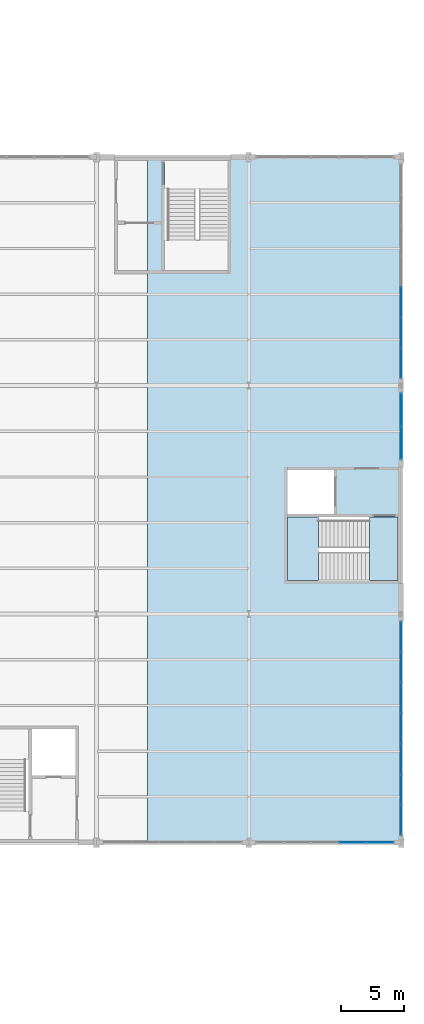
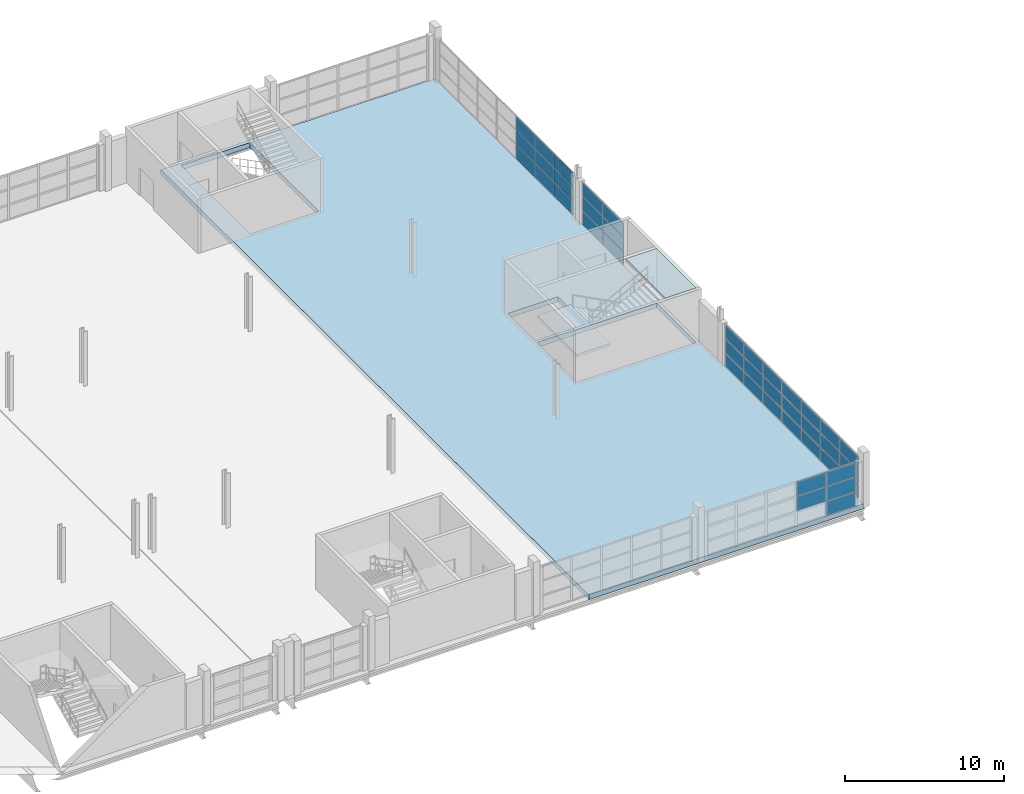
# One storey, part 128 of 147: 41 plates, 3 slabs, 5 elements without a shape of their own.
"""IFC4 building model written with IfcOpenShell, lengths in metres."""

import ifcopenshell
import ifcopenshell.guid

model = None  # the IFC model being written
_history = None  # IfcOwnerHistory: only IFC2X3 demands one
_inside = {}  # id of a spatial element -> (the spatial element, [elements in it])
_under = {}  # id of a project, library or spatial element -> (it, [spatial elements below it])
_declared = {}  # id of a project -> (the project, [libraries it declares])
_typed = {}  # id of a type object -> (the type object, [elements of that type])
_made_of = {}  # id of a material, layer set ... -> (it, [elements and type objects made of it])


def new_model(schema):
    """Start an empty IFC model of exactly this schema.

    Asked for "IFC4X3", IfcOpenShell would pick the latest addendum, in which some entities
    have other attributes; the version numbers below select the first issue.
    IFC2X3 requires an IfcOwnerHistory on every rooted entity: one is made here for all.
    """
    global model, _history
    if schema == "IFC4X3":
        model = ifcopenshell.file(schema_version=(4, 3, 0, 0))
    else:
        model = ifcopenshell.file(schema=schema)
    _inside.clear()
    _under.clear()
    _declared.clear()
    _typed.clear()
    _made_of.clear()
    _history = None
    if model.schema == "IFC2X3":
        org = make("IfcOrganization", Name="unknown")
        user = make(
            "IfcPersonAndOrganization",
            ThePerson=make("IfcPerson", FamilyName="unknown"),
            TheOrganization=org,
        )
        app = make(
            "IfcApplication",
            ApplicationDeveloper=org,
            Version="unknown",
            ApplicationFullName="unknown",
            ApplicationIdentifier="unknown",
        )
        _history = make(
            "IfcOwnerHistory",
            OwningUser=user,
            OwningApplication=app,
            ChangeAction="ADDED",
            CreationDate=0,
        )
    return model


def make(cls, **values):
    """One entity of the class cls with the attributes given. An attribute that is None is left unset."""
    return model.create_entity(
        cls, **{name: value for name, value in values.items() if value is not None}
    )


def rooted(cls, **values):
    """An entity with a GlobalId (a new one), such as an element, a storey or a relation."""
    return make(cls, GlobalId=ifcopenshell.guid.new(), OwnerHistory=_history, **values)


def si_unit(unit_type, name, prefix=None):
    """IfcSIUnit, for example si_unit("LENGTHUNIT", "METRE", prefix="MILLI")."""
    return make("IfcSIUnit", UnitType=unit_type, Prefix=prefix, Name=name)


def assignment(units):
    """IfcUnitAssignment: the units of a project."""
    return None if units is None else make("IfcUnitAssignment", Units=units)


def point(xyz):
    """IfcCartesianPoint."""
    return None if xyz is None else make("IfcCartesianPoint", Coordinates=xyz)


def direction(xyz):
    """IfcDirection."""
    return None if xyz is None else make("IfcDirection", DirectionRatios=xyz)


def frame(location, z_axis=None, x_axis=None):
    """IfcAxis2Placement3D, a coordinate frame: its origin and axes. An axis left out is left unset."""
    return make(
        "IfcAxis2Placement3D",
        Location=point(location),
        Axis=direction(z_axis),
        RefDirection=direction(x_axis),
    )


def frame_2d(location, x_axis=None):
    """IfcAxis2Placement2D, a coordinate frame in the plane: its origin and x axis."""
    return make(
        "IfcAxis2Placement2D", Location=point(location), RefDirection=direction(x_axis)
    )


def origin():
    """The frame at (0, 0, 0) with its axes left unset."""
    return frame((0.0, 0.0, 0.0))


def origin_2d():
    """The frame at (0, 0) in the plane with its x axis left unset."""
    return frame_2d((0.0, 0.0))


def place(relative_to, where):
    """IfcLocalPlacement: puts the frame where relative to a parent placement (None: the world)."""
    return make(
        "IfcLocalPlacement", PlacementRelTo=relative_to, RelativePlacement=where
    )


def context(
    kind, dimensions, precision=None, world=None, true_north=None, identifier=None
):
    """IfcGeometricRepresentationContext, for example the 3D "Model" context."""
    return make(
        "IfcGeometricRepresentationContext",
        ContextIdentifier=identifier,
        ContextType=kind,
        CoordinateSpaceDimension=dimensions,
        Precision=precision,
        WorldCoordinateSystem=world,
        TrueNorth=true_north,
    )


def subcontext(parent, identifier, kind, view, scale=None):
    """IfcGeometricRepresentationSubContext, for example "Body" below "Model"."""
    return make(
        "IfcGeometricRepresentationSubContext",
        ContextIdentifier=identifier,
        ContextType=kind,
        ParentContext=parent,
        TargetScale=scale,
        TargetView=view,
    )


def project(units=None, contexts=None):
    """IfcProject with its units and contexts."""
    return rooted(
        "IfcProject",
        Name="project",
        RepresentationContexts=contexts,
        UnitsInContext=assignment(units),
    )


def spatial(cls, under=None, at=None, **own):
    """A site, building, storey or space (cls), placed at a placement, below another one or the project."""
    s = rooted(cls, ObjectPlacement=at, **own)
    if under is not None:
        _under.setdefault(under.id(), (under, []))[1].append(s)
    return s


def polyline(points):
    """IfcPolyline through the points."""
    return make("IfcPolyline", Points=[point(p) for p in points])


def profile(cls, at=None, kind="AREA", **sizes):
    """A parametric profile (cls). Its sizes go by their IFC names, for example OverallWidth=200.0."""
    return make(cls, ProfileType=kind, Position=at, **sizes)


def rectangle(**sizes):
    """IfcRectangleProfileDef."""
    return profile("IfcRectangleProfileDef", **sizes)


def outline(outer, holes=None, kind="AREA"):
    """IfcArbitraryClosedProfileDef: a profile drawn as a closed curve; with holes, ...WithVoids."""
    if holes is None:
        return make("IfcArbitraryClosedProfileDef", ProfileType=kind, OuterCurve=outer)
    return make(
        "IfcArbitraryProfileDefWithVoids",
        ProfileType=kind,
        OuterCurve=outer,
        InnerCurves=holes,
    )


def extrude(swept, where, along, depth):
    """IfcExtrudedAreaSolid: the profile swept, set in the frame where, extruded along a direction by depth."""
    return make(
        "IfcExtrudedAreaSolid",
        SweptArea=swept,
        Position=where,
        ExtrudedDirection=direction(along),
        Depth=depth,
    )


def shape(context_of_items, identifier, shape_type, items):
    """IfcShapeRepresentation: the items that make up one representation, for example the "Body"."""
    return make(
        "IfcShapeRepresentation",
        ContextOfItems=context_of_items,
        RepresentationIdentifier=identifier,
        RepresentationType=shape_type,
        Items=items,
    )


def material(Name=None, Category=None):
    """IfcMaterial."""
    return make("IfcMaterial", Name=Name, Category=Category)


def layer(
    of_material, thickness, ventilated=None, Name=None, Category=None, Priority=None
):
    """IfcMaterialLayer: one layer of a wall or slab, of a material (None: an air gap)."""
    return make(
        "IfcMaterialLayer",
        Material=of_material,
        LayerThickness=thickness,
        IsVentilated=ventilated,
        Name=Name,
        Category=Category,
        Priority=Priority,
    )


def layer_set(layers, Name=None):
    """IfcMaterialLayerSet."""
    return make("IfcMaterialLayerSet", MaterialLayers=layers, LayerSetName=Name)


def made_of(thing, what):
    """Note that an element or type object is made of a material, layer set ...; save() writes the relation."""
    if what is not None:
        _made_of.setdefault(what.id(), (what, []))[1].append(thing)
    return thing


def type_object(cls, material=None, **own):
    """A type object (cls), such as IfcWallType, which elements share."""
    return made_of(rooted(cls, **own), material)


def element(
    cls,
    number,
    at=None,
    inside=None,
    cuts=None,
    type_object=None,
    material=None,
    context=None,
    identifier="Body",
    shape_type=None,
    held_by="IfcProductDefinitionShape",
    body=None,
    shapes=None,
    **own,
):
    """One element of the class cls, such as IfcWall. Its Tag is "e" and its number.

    at: its placement. inside: the storey or other place that contains it. cuts: it is an
    opening in that element (IfcRelVoidsElement). A single representation is given by context,
    identifier, shape_type and body (its items); several are given by shapes. held_by: the class
    of the entity that holds the representations. save() writes the other relations.
    """
    e = rooted(cls, Tag="e%d" % number, ObjectPlacement=at, **own)
    if body is not None:
        shapes = [shape(context, identifier, shape_type, body)]
    if shapes is not None:
        e.Representation = make(held_by, Representations=shapes)
    if inside is not None:
        _inside.setdefault(inside.id(), (inside, []))[1].append(e)
    if cuts is not None:
        rooted(
            "IfcRelVoidsElement", RelatingBuildingElement=cuts, RelatedOpeningElement=e
        )
    if type_object is not None:
        _typed.setdefault(type_object.id(), (type_object, []))[1].append(e)
    return made_of(e, material)


def aggregate(whole, parts):
    """IfcRelAggregates: a whole, such as a stair, and the parts it consists of."""
    return rooted("IfcRelAggregates", RelatingObject=whole, RelatedObjects=parts)


def save(model, path):
    """Write the relations noted so far, then the file.

    IfcRelAggregates (storeys below a building ...), IfcRelContainedInSpatialStructure (elements
    in a storey), IfcRelDefinesByType, IfcRelAssociatesMaterial and IfcRelDeclares: one each for
    every whole, place, type object, material and project.
    """
    for whole, parts in _under.values():
        aggregate(whole, parts)
    for where, things in _inside.values():
        rooted(
            "IfcRelContainedInSpatialStructure",
            RelatedElements=things,
            RelatingStructure=where,
        )
    for kind, things in _typed.values():
        rooted("IfcRelDefinesByType", RelatedObjects=things, RelatingType=kind)
    for what, things in _made_of.values():
        rooted("IfcRelAssociatesMaterial", RelatedObjects=things, RelatingMaterial=what)
    for by, libraries in _declared.values():
        rooted("IfcRelDeclares", RelatingContext=by, RelatedDefinitions=libraries)
    model.write(path)


model = new_model("IFC4")

# Units and contexts
model_context = context("Model", 3, precision=1e-05, world=origin(), true_north=direction((0.0, 1.0)))
body_context = subcontext(model_context, "Body", "Model", "MODEL_VIEW")
ifc_project = project(units=[si_unit("LENGTHUNIT", "METRE"), si_unit("AREAUNIT", "SQUARE_METRE"), si_unit("VOLUMEUNIT", "CUBIC_METRE"), si_unit("PLANEANGLEUNIT", "RADIAN"), si_unit("MASSUNIT", "GRAM", prefix="KILO")], contexts=[model_context])

# Site, building, storey
site_placement = place(None, origin())
site = spatial("IfcSite", under=ifc_project, at=site_placement, CompositionType="ELEMENT")
building_placement = place(site_placement, origin())
building = spatial("IfcBuilding", under=site, at=building_placement, Name="Zilviju Railside Exhibition Hall", CompositionType="ELEMENT")
storey_placement = place(building_placement, frame((0.0, 0.0, 8.39990234375)))
storey = spatial("IfcBuildingStorey", under=building, at=storey_placement, Name="L03", CompositionType="ELEMENT", Elevation=8.39990234375)

# Curtain wall, plates
ifc_material_1 = material(Name="Thermally broken aluminium-steel triple-glazed curtain wall", Category="steel")
ifc_layer_1 = layer(ifc_material_1, 0.179931640625)
ifc_layer_set_1 = layer_set([ifc_layer_1], Name="Thermally broken aluminium-steel triple-glazed curtain wall")
curtain_wall_type_1 = type_object("IfcCurtainWallType", Name="CW-BAY-05", PredefinedType="USERDEFINED", material=ifc_layer_set_1)
curtain_wall_1_placement = place(storey_placement, origin())
curtain_wall_1 = element("IfcCurtainWall", 1, at=curtain_wall_1_placement, inside=storey, type_object=curtain_wall_type_1, Name="North Hall Garden Court Curtain Wall L03 (204..216)", ObjectType="GLAZED CURTAIN WALL", PredefinedType="USERDEFINED")
ifc_material_2 = material(Name="Triple-glazed low-E argon insulating glass unit", Category="glass")
ifc_layer_2 = layer(ifc_material_2, 0.0439453125)
ifc_layer_set_2 = layer_set([ifc_layer_2], Name="Triple-glazed low-E argon insulating glass unit")
plate_type_1 = type_object("IfcPlateType", Name="CWP-IGU-44", PredefinedType="CURTAIN_PANEL", material=ifc_layer_set_2)
plate_1_placement = place(storey_placement, frame((214.342529296875, 84.0, 0.070068359375), z_axis=(0.0, 0.0, 1.0), x_axis=(-1.0, 0.0, 0.0)))
plate_1 = element("IfcPlate", 2, at=plate_1_placement, type_object=plate_type_1, Name="CW-05 panel 1.1", PredefinedType="CURTAIN_PANEL", context=body_context, shape_type="SweptSolid", body=[
    extrude(rectangle(XDim=2.074951171875, YDim=0.0439453125, at=origin_2d()), origin(), (0.0, 0.0, 1.0), 1.044921875),
])
plate_2_placement = place(storey_placement, frame((214.342529296875, 84.0, 1.18505859375), z_axis=(0.0, 0.0, 1.0), x_axis=(-1.0, 0.0, 0.0)))
plate_2 = element("IfcPlate", 3, at=plate_2_placement, type_object=plate_type_1, Name="CW-05 panel 1.2", PredefinedType="CURTAIN_PANEL", context=body_context, shape_type="SweptSolid", body=[
    extrude(rectangle(XDim=2.074951171875, YDim=0.0439453125, at=origin_2d()), origin(), (0.0, 0.0, 1.0), 1.080078125),
])
plate_3_placement = place(storey_placement, frame((214.342529296875, 84.0, 2.335205078125), z_axis=(0.0, 0.0, 1.0), x_axis=(-1.0, 0.0, 0.0)))
plate_3 = element("IfcPlate", 4, at=plate_3_placement, type_object=plate_type_1, Name="CW-05 panel 1.3", PredefinedType="CURTAIN_PANEL", context=body_context, shape_type="SweptSolid", body=[
    extrude(rectangle(XDim=2.074951171875, YDim=0.0439453125, at=origin_2d()), origin(), (0.0, 0.0, 1.0), 1.044921875),
])
plate_4_placement = place(storey_placement, frame((212.179931640625, 84.0, 1.18505859375), z_axis=(0.0, 0.0, 1.0), x_axis=(-1.0, 0.0, 0.0)))
plate_4 = element("IfcPlate", 5, at=plate_4_placement, type_object=plate_type_1, Name="CW-05 panel 2.2", PredefinedType="CURTAIN_PANEL", context=body_context, shape_type="SweptSolid", body=[
    extrude(rectangle(XDim=2.110107421875, YDim=0.0439453125, at=origin_2d()), origin(), (0.0, 0.0, 1.0), 1.080078125),
])
plate_5_placement = place(storey_placement, frame((212.179931640625, 84.0, 2.335205078125), z_axis=(0.0, 0.0, 1.0), x_axis=(-1.0, 0.0, 0.0)))
plate_5 = element("IfcPlate", 6, at=plate_5_placement, type_object=plate_type_1, Name="CW-05 panel 2.3", PredefinedType="CURTAIN_PANEL", context=body_context, shape_type="SweptSolid", body=[
    extrude(rectangle(XDim=2.110107421875, YDim=0.0439453125, at=origin_2d()), origin(), (0.0, 0.0, 1.0), 1.044921875),
])
aggregate(curtain_wall_1, [plate_1, plate_2, plate_3, plate_4, plate_5])

ifc_layer_3 = layer(ifc_material_1, 0.179931640625)
ifc_layer_set_3 = layer_set([ifc_layer_3], Name="Thermally broken aluminium-steel triple-glazed curtain wall")
curtain_wall_type_2 = type_object("IfcCurtainWallType", Name="CW-BAY-10", PredefinedType="USERDEFINED", material=ifc_layer_set_3)
curtain_wall_2_placement = place(storey_placement, origin())
curtain_wall_2 = element("IfcCurtainWall", 7, at=curtain_wall_2_placement, inside=storey, type_object=curtain_wall_type_2, Name="North Hall East Glazed Gable L03 (120..138)", ObjectType="GLAZED CURTAIN WALL", PredefinedType="USERDEFINED")
plate_6_placement = place(storey_placement, frame((216.0, 126.585693359375, 0.05517578125), z_axis=(0.0, 0.0, 1.0), x_axis=(0.0, -1.0, 0.0)))
plate_6 = element("IfcPlate", 8, at=plate_6_placement, type_object=plate_type_1, Name="CW-10 panel 5.1", PredefinedType="CURTAIN_PANEL", context=body_context, shape_type="SweptSolid", body=[
    extrude(rectangle(XDim=2.359375, YDim=0.0439453125, at=origin_2d()), origin(), (0.0, 0.0, 1.0), 1.034423828125),
])
plate_7_placement = place(storey_placement, frame((216.0, 126.585693359375, 1.14453125), z_axis=(0.0, 0.0, 1.0), x_axis=(0.0, -1.0, 0.0)))
plate_7 = element("IfcPlate", 9, at=plate_7_placement, type_object=plate_type_1, Name="CW-10 panel 5.2", PredefinedType="CURTAIN_PANEL", context=body_context, shape_type="SweptSolid", body=[
    extrude(rectangle(XDim=2.359375, YDim=0.0439453125, at=origin_2d()), origin(), (0.0, 0.0, 1.0), 1.06103515625),
])
plate_8_placement = place(storey_placement, frame((216.0, 126.585693359375, 2.2607421875), z_axis=(0.0, 0.0, 1.0), x_axis=(0.0, -1.0, 0.0)))
plate_8 = element("IfcPlate", 10, at=plate_8_placement, type_object=plate_type_1, Name="CW-10 panel 5.3", PredefinedType="CURTAIN_PANEL", context=body_context, shape_type="SweptSolid", body=[
    extrude(rectangle(XDim=2.359375, YDim=0.0439453125, at=origin_2d()), origin(), (0.0, 0.0, 1.0), 1.034423828125),
])
plate_9_placement = place(storey_placement, frame((216.0, 124.17138671875, 0.05517578125), z_axis=(0.0, 0.0, 1.0), x_axis=(0.0, -1.0, 0.0)))
plate_9 = element("IfcPlate", 11, at=plate_9_placement, type_object=plate_type_1, Name="CW-10 panel 6.1", PredefinedType="CURTAIN_PANEL", context=body_context, shape_type="SweptSolid", body=[
    extrude(rectangle(XDim=2.359375, YDim=0.0439453125, at=origin_2d()), origin(), (0.0, 0.0, 1.0), 1.034423828125),
])
plate_10_placement = place(storey_placement, frame((216.0, 124.17138671875, 1.14453125), z_axis=(0.0, 0.0, 1.0), x_axis=(0.0, -1.0, 0.0)))
plate_10 = element("IfcPlate", 12, at=plate_10_placement, type_object=plate_type_1, Name="CW-10 panel 6.2", PredefinedType="CURTAIN_PANEL", context=body_context, shape_type="SweptSolid", body=[
    extrude(rectangle(XDim=2.359375, YDim=0.0439453125, at=origin_2d()), origin(), (0.0, 0.0, 1.0), 1.06103515625),
])
plate_11_placement = place(storey_placement, frame((216.0, 124.17138671875, 2.2607421875), z_axis=(0.0, 0.0, 1.0), x_axis=(0.0, -1.0, 0.0)))
plate_11 = element("IfcPlate", 13, at=plate_11_placement, type_object=plate_type_1, Name="CW-10 panel 6.3", PredefinedType="CURTAIN_PANEL", context=body_context, shape_type="SweptSolid", body=[
    extrude(rectangle(XDim=2.359375, YDim=0.0439453125, at=origin_2d()), origin(), (0.0, 0.0, 1.0), 1.034423828125),
])
plate_12_placement = place(storey_placement, frame((216.0, 121.77099609375, 0.05517578125), z_axis=(0.0, 0.0, 1.0), x_axis=(0.0, -1.0, 0.0)))
plate_12 = element("IfcPlate", 14, at=plate_12_placement, type_object=plate_type_1, Name="CW-10 panel 7.1", PredefinedType="CURTAIN_PANEL", context=body_context, shape_type="SweptSolid", body=[
    extrude(rectangle(XDim=2.331787109375, YDim=0.0439453125, at=origin_2d()), origin(), (0.0, 0.0, 1.0), 1.034423828125),
])
plate_13_placement = place(storey_placement, frame((216.0, 121.77099609375, 1.14453125), z_axis=(0.0, 0.0, 1.0), x_axis=(0.0, -1.0, 0.0)))
plate_13 = element("IfcPlate", 15, at=plate_13_placement, type_object=plate_type_1, Name="CW-10 panel 7.2", PredefinedType="CURTAIN_PANEL", context=body_context, shape_type="SweptSolid", body=[
    extrude(rectangle(XDim=2.331787109375, YDim=0.0439453125, at=origin_2d()), origin(), (0.0, 0.0, 1.0), 1.06103515625),
])
plate_14_placement = place(storey_placement, frame((216.0, 121.77099609375, 2.2607421875), z_axis=(0.0, 0.0, 1.0), x_axis=(0.0, -1.0, 0.0)))
plate_14 = element("IfcPlate", 16, at=plate_14_placement, type_object=plate_type_1, Name="CW-10 panel 7.3", PredefinedType="CURTAIN_PANEL", context=body_context, shape_type="SweptSolid", body=[
    extrude(rectangle(XDim=2.331787109375, YDim=0.0439453125, at=origin_2d()), origin(), (0.0, 0.0, 1.0), 1.034423828125),
])
aggregate(curtain_wall_2, [plate_6, plate_7, plate_8, plate_9, plate_10, plate_11, plate_12, plate_13, plate_14])

ifc_layer_4 = layer(ifc_material_1, 0.179931640625)
ifc_layer_set_4 = layer_set([ifc_layer_4], Name="Thermally broken aluminium-steel triple-glazed curtain wall")
curtain_wall_type_3 = type_object("IfcCurtainWallType", Name="CW-BAY-08", PredefinedType="USERDEFINED", material=ifc_layer_set_4)
curtain_wall_3_placement = place(storey_placement, origin())
curtain_wall_3 = element("IfcCurtainWall", 17, at=curtain_wall_3_placement, inside=storey, type_object=curtain_wall_type_3, Name="North Hall East Glazed Gable L03 (84..102)", ObjectType="GLAZED CURTAIN WALL", PredefinedType="USERDEFINED")
ifc_material_3 = material(Name="Insulated cobalt-blue enamelled spandrel glass panel", Category="glass")
ifc_layer_5 = layer(ifc_material_3, 0.052001953125)
ifc_layer_set_5 = layer_set([ifc_layer_5], Name="Insulated cobalt-blue enamelled spandrel glass panel")
plate_type_2 = type_object("IfcPlateType", Name="CWP-SPD-52", PredefinedType="CURTAIN_PANEL", material=ifc_layer_set_5)
plate_15_placement = place(storey_placement, frame((216.0, 100.222900390625, 0.080078125), z_axis=(0.0, 0.0, 1.0), x_axis=(0.0, -1.0, 0.0)))
plate_15 = element("IfcPlate", 18, at=plate_15_placement, type_object=plate_type_2, Name="CW-08 panel 1.1", PredefinedType="CURTAIN_PANEL", context=body_context, shape_type="SweptSolid", body=[
    extrude(rectangle(XDim=2.294189453125, YDim=0.052001953125, at=origin_2d()), origin(), (0.0, 0.0, 1.0), 0.9970703125),
])
plate_16_placement = place(storey_placement, frame((216.0, 100.222900390625, 1.1572265625), z_axis=(0.0, 0.0, 1.0), x_axis=(0.0, -1.0, 0.0)))
plate_16 = element("IfcPlate", 19, at=plate_16_placement, type_object=plate_type_2, Name="CW-08 panel 1.2", PredefinedType="CURTAIN_PANEL", context=body_context, shape_type="SweptSolid", body=[
    extrude(rectangle(XDim=2.294189453125, YDim=0.052001953125, at=origin_2d()), origin(), (0.0, 0.0, 1.0), 1.035888671875),
])
plate_17_placement = place(storey_placement, frame((216.0, 100.222900390625, 2.27294921875), z_axis=(0.0, 0.0, 1.0), x_axis=(0.0, -1.0, 0.0)))
plate_17 = element("IfcPlate", 20, at=plate_17_placement, type_object=plate_type_2, Name="CW-08 panel 1.3", PredefinedType="CURTAIN_PANEL", context=body_context, shape_type="SweptSolid", body=[
    extrude(rectangle(XDim=2.294189453125, YDim=0.052001953125, at=origin_2d()), origin(), (0.0, 0.0, 1.0), 0.9970703125),
])
plate_18_placement = place(storey_placement, frame((216.0, 97.82861328125, 0.080078125), z_axis=(0.0, 0.0, 1.0), x_axis=(0.0, -1.0, 0.0)))
plate_18 = element("IfcPlate", 21, at=plate_18_placement, type_object=plate_type_2, Name="CW-08 panel 2.1", PredefinedType="CURTAIN_PANEL", context=body_context, shape_type="SweptSolid", body=[
    extrude(rectangle(XDim=2.334228515625, YDim=0.052001953125, at=origin_2d()), origin(), (0.0, 0.0, 1.0), 0.9970703125),
])
plate_19_placement = place(storey_placement, frame((216.0, 97.82861328125, 1.1572265625), z_axis=(0.0, 0.0, 1.0), x_axis=(0.0, -1.0, 0.0)))
plate_19 = element("IfcPlate", 22, at=plate_19_placement, type_object=plate_type_2, Name="CW-08 panel 2.2", PredefinedType="CURTAIN_PANEL", context=body_context, shape_type="SweptSolid", body=[
    extrude(rectangle(XDim=2.334228515625, YDim=0.052001953125, at=origin_2d()), origin(), (0.0, 0.0, 1.0), 1.035888671875),
])
plate_20_placement = place(storey_placement, frame((216.0, 97.82861328125, 2.27294921875), z_axis=(0.0, 0.0, 1.0), x_axis=(0.0, -1.0, 0.0)))
plate_20 = element("IfcPlate", 23, at=plate_20_placement, type_object=plate_type_2, Name="CW-08 panel 2.3", PredefinedType="CURTAIN_PANEL", context=body_context, shape_type="SweptSolid", body=[
    extrude(rectangle(XDim=2.334228515625, YDim=0.052001953125, at=origin_2d()), origin(), (0.0, 0.0, 1.0), 0.9970703125),
])
plate_21_placement = place(storey_placement, frame((216.0, 95.414306640625, 0.080078125), z_axis=(0.0, 0.0, 1.0), x_axis=(0.0, -1.0, 0.0)))
plate_21 = element("IfcPlate", 24, at=plate_21_placement, type_object=plate_type_2, Name="CW-08 panel 3.1", PredefinedType="CURTAIN_PANEL", context=body_context, shape_type="SweptSolid", body=[
    extrude(rectangle(XDim=2.334228515625, YDim=0.052001953125, at=origin_2d()), origin(), (0.0, 0.0, 1.0), 0.9970703125),
])
plate_22_placement = place(storey_placement, frame((216.0, 95.414306640625, 1.1572265625), z_axis=(0.0, 0.0, 1.0), x_axis=(0.0, -1.0, 0.0)))
plate_22 = element("IfcPlate", 25, at=plate_22_placement, type_object=plate_type_2, Name="CW-08 panel 3.2", PredefinedType="CURTAIN_PANEL", context=body_context, shape_type="SweptSolid", body=[
    extrude(rectangle(XDim=2.334228515625, YDim=0.052001953125, at=origin_2d()), origin(), (0.0, 0.0, 1.0), 1.035888671875),
])
plate_23_placement = place(storey_placement, frame((216.0, 95.414306640625, 2.27294921875), z_axis=(0.0, 0.0, 1.0), x_axis=(0.0, -1.0, 0.0)))
plate_23 = element("IfcPlate", 26, at=plate_23_placement, type_object=plate_type_2, Name="CW-08 panel 3.3", PredefinedType="CURTAIN_PANEL", context=body_context, shape_type="SweptSolid", body=[
    extrude(rectangle(XDim=2.334228515625, YDim=0.052001953125, at=origin_2d()), origin(), (0.0, 0.0, 1.0), 0.9970703125),
])
plate_24_placement = place(storey_placement, frame((216.0, 93.0, 0.080078125), z_axis=(0.0, 0.0, 1.0), x_axis=(0.0, -1.0, 0.0)))
plate_24 = element("IfcPlate", 27, at=plate_24_placement, type_object=plate_type_2, Name="CW-08 panel 4.1", PredefinedType="CURTAIN_PANEL", context=body_context, shape_type="SweptSolid", body=[
    extrude(rectangle(XDim=2.334228515625, YDim=0.052001953125, at=origin_2d()), origin(), (0.0, 0.0, 1.0), 0.9970703125),
])
plate_25_placement = place(storey_placement, frame((216.0, 93.0, 1.1572265625), z_axis=(0.0, 0.0, 1.0), x_axis=(0.0, -1.0, 0.0)))
plate_25 = element("IfcPlate", 28, at=plate_25_placement, type_object=plate_type_2, Name="CW-08 panel 4.2", PredefinedType="CURTAIN_PANEL", context=body_context, shape_type="SweptSolid", body=[
    extrude(rectangle(XDim=2.334228515625, YDim=0.052001953125, at=origin_2d()), origin(), (0.0, 0.0, 1.0), 1.035888671875),
])
plate_26_placement = place(storey_placement, frame((216.0, 93.0, 2.27294921875), z_axis=(0.0, 0.0, 1.0), x_axis=(0.0, -1.0, 0.0)))
plate_26 = element("IfcPlate", 29, at=plate_26_placement, type_object=plate_type_2, Name="CW-08 panel 4.3", PredefinedType="CURTAIN_PANEL", context=body_context, shape_type="SweptSolid", body=[
    extrude(rectangle(XDim=2.334228515625, YDim=0.052001953125, at=origin_2d()), origin(), (0.0, 0.0, 1.0), 0.9970703125),
])
plate_27_placement = place(storey_placement, frame((216.0, 90.585693359375, 0.080078125), z_axis=(0.0, 0.0, 1.0), x_axis=(0.0, -1.0, 0.0)))
plate_27 = element("IfcPlate", 30, at=plate_27_placement, type_object=plate_type_2, Name="CW-08 panel 5.1", PredefinedType="CURTAIN_PANEL", context=body_context, shape_type="SweptSolid", body=[
    extrude(rectangle(XDim=2.334228515625, YDim=0.052001953125, at=origin_2d()), origin(), (0.0, 0.0, 1.0), 0.9970703125),
])
plate_28_placement = place(storey_placement, frame((216.0, 90.585693359375, 1.1572265625), z_axis=(0.0, 0.0, 1.0), x_axis=(0.0, -1.0, 0.0)))
plate_28 = element("IfcPlate", 31, at=plate_28_placement, type_object=plate_type_2, Name="CW-08 panel 5.2", PredefinedType="CURTAIN_PANEL", context=body_context, shape_type="SweptSolid", body=[
    extrude(rectangle(XDim=2.334228515625, YDim=0.052001953125, at=origin_2d()), origin(), (0.0, 0.0, 1.0), 1.035888671875),
])
plate_29_placement = place(storey_placement, frame((216.0, 90.585693359375, 2.27294921875), z_axis=(0.0, 0.0, 1.0), x_axis=(0.0, -1.0, 0.0)))
plate_29 = element("IfcPlate", 32, at=plate_29_placement, type_object=plate_type_2, Name="CW-08 panel 5.3", PredefinedType="CURTAIN_PANEL", context=body_context, shape_type="SweptSolid", body=[
    extrude(rectangle(XDim=2.334228515625, YDim=0.052001953125, at=origin_2d()), origin(), (0.0, 0.0, 1.0), 0.9970703125),
])
plate_30_placement = place(storey_placement, frame((216.0, 88.17138671875, 0.080078125), z_axis=(0.0, 0.0, 1.0), x_axis=(0.0, -1.0, 0.0)))
plate_30 = element("IfcPlate", 33, at=plate_30_placement, type_object=plate_type_2, Name="CW-08 panel 6.1", PredefinedType="CURTAIN_PANEL", context=body_context, shape_type="SweptSolid", body=[
    extrude(rectangle(XDim=2.334228515625, YDim=0.052001953125, at=origin_2d()), origin(), (0.0, 0.0, 1.0), 0.9970703125),
])
plate_31_placement = place(storey_placement, frame((216.0, 88.17138671875, 1.1572265625), z_axis=(0.0, 0.0, 1.0), x_axis=(0.0, -1.0, 0.0)))
plate_31 = element("IfcPlate", 34, at=plate_31_placement, type_object=plate_type_2, Name="CW-08 panel 6.2", PredefinedType="CURTAIN_PANEL", context=body_context, shape_type="SweptSolid", body=[
    extrude(rectangle(XDim=2.334228515625, YDim=0.052001953125, at=origin_2d()), origin(), (0.0, 0.0, 1.0), 1.035888671875),
])
plate_32_placement = place(storey_placement, frame((216.0, 88.17138671875, 2.27294921875), z_axis=(0.0, 0.0, 1.0), x_axis=(0.0, -1.0, 0.0)))
plate_32 = element("IfcPlate", 35, at=plate_32_placement, type_object=plate_type_2, Name="CW-08 panel 6.3", PredefinedType="CURTAIN_PANEL", context=body_context, shape_type="SweptSolid", body=[
    extrude(rectangle(XDim=2.334228515625, YDim=0.052001953125, at=origin_2d()), origin(), (0.0, 0.0, 1.0), 0.9970703125),
])
plate_33_placement = place(storey_placement, frame((216.0, 85.777099609375, 0.080078125), z_axis=(0.0, 0.0, 1.0), x_axis=(0.0, -1.0, 0.0)))
plate_33 = element("IfcPlate", 36, at=plate_33_placement, type_object=plate_type_2, Name="CW-08 panel 7.1", PredefinedType="CURTAIN_PANEL", context=body_context, shape_type="SweptSolid", body=[
    extrude(rectangle(XDim=2.294189453125, YDim=0.052001953125, at=origin_2d()), origin(), (0.0, 0.0, 1.0), 0.9970703125),
])
plate_34_placement = place(storey_placement, frame((216.0, 85.777099609375, 1.1572265625), z_axis=(0.0, 0.0, 1.0), x_axis=(0.0, -1.0, 0.0)))
plate_34 = element("IfcPlate", 37, at=plate_34_placement, type_object=plate_type_2, Name="CW-08 panel 7.2", PredefinedType="CURTAIN_PANEL", context=body_context, shape_type="SweptSolid", body=[
    extrude(rectangle(XDim=2.294189453125, YDim=0.052001953125, at=origin_2d()), origin(), (0.0, 0.0, 1.0), 1.035888671875),
])
plate_35_placement = place(storey_placement, frame((216.0, 85.777099609375, 2.27294921875), z_axis=(0.0, 0.0, 1.0), x_axis=(0.0, -1.0, 0.0)))
plate_35 = element("IfcPlate", 38, at=plate_35_placement, type_object=plate_type_2, Name="CW-08 panel 7.3", PredefinedType="CURTAIN_PANEL", context=body_context, shape_type="SweptSolid", body=[
    extrude(rectangle(XDim=2.294189453125, YDim=0.052001953125, at=origin_2d()), origin(), (0.0, 0.0, 1.0), 0.9970703125),
])
aggregate(curtain_wall_3, [plate_15, plate_16, plate_17, plate_18, plate_19, plate_20, plate_21, plate_22, plate_23, plate_24, plate_25, plate_26, plate_27, plate_28, plate_29, plate_30, plate_31, plate_32, plate_33, plate_34, plate_35])

ifc_layer_6 = layer(ifc_material_1, 0.179931640625)
ifc_layer_set_6 = layer_set([ifc_layer_6], Name="Thermally broken aluminium-steel triple-glazed curtain wall")
curtain_wall_type_4 = type_object("IfcCurtainWallType", Name="CW-BAY-09", PredefinedType="USERDEFINED", material=ifc_layer_set_6)
curtain_wall_4_placement = place(storey_placement, origin())
curtain_wall_4 = element("IfcCurtainWall", 39, at=curtain_wall_4_placement, inside=storey, type_object=curtain_wall_type_4, Name="North Hall East Glazed Gable L03 (114..120)", ObjectType="GLAZED CURTAIN WALL", PredefinedType="USERDEFINED")
ifc_material_4 = material(Name="Insulated emerald ceramic-frit spandrel panel", Category="glass")
ifc_layer_7 = layer(ifc_material_4, 0.06396484375)
ifc_layer_set_7 = layer_set([ifc_layer_7], Name="Insulated emerald ceramic-frit spandrel panel")
plate_type_3 = type_object("IfcPlateType", Name="CWP-SPD-64", PredefinedType="CURTAIN_PANEL", material=ifc_layer_set_7)
plate_36_placement = place(storey_placement, frame((216.0, 118.106201171875, 0.0751953125), z_axis=(0.0, 0.0, 1.0), x_axis=(0.0, -1.0, 0.0)))
plate_36 = element("IfcPlate", 40, at=plate_36_placement, type_object=plate_type_3, Name="CW-09 panel 1.1", PredefinedType="CURTAIN_PANEL", context=body_context, shape_type="SweptSolid", body=[
    extrude(rectangle(XDim=2.53759765625, YDim=0.06396484375, at=origin_2d()), origin(), (0.0, 0.0, 1.0), 1.00439453125),
])
plate_37_placement = place(storey_placement, frame((216.0, 118.106201171875, 1.154541015625), z_axis=(0.0, 0.0, 1.0), x_axis=(0.0, -1.0, 0.0)))
plate_37 = element("IfcPlate", 41, at=plate_37_placement, type_object=plate_type_3, Name="CW-09 panel 1.2", PredefinedType="CURTAIN_PANEL", context=body_context, shape_type="SweptSolid", body=[
    extrude(rectangle(XDim=2.53759765625, YDim=0.06396484375, at=origin_2d()), origin(), (0.0, 0.0, 1.0), 1.041015625),
])
plate_38_placement = place(storey_placement, frame((216.0, 118.106201171875, 2.270751953125), z_axis=(0.0, 0.0, 1.0), x_axis=(0.0, -1.0, 0.0)))
plate_38 = element("IfcPlate", 42, at=plate_38_placement, type_object=plate_type_3, Name="CW-09 panel 1.3", PredefinedType="CURTAIN_PANEL", context=body_context, shape_type="SweptSolid", body=[
    extrude(rectangle(XDim=2.53759765625, YDim=0.06396484375, at=origin_2d()), origin(), (0.0, 0.0, 1.0), 1.00439453125),
])
plate_39_placement = place(storey_placement, frame((216.0, 115.49365234375, 0.0751953125), z_axis=(0.0, 0.0, 1.0), x_axis=(0.0, -1.0, 0.0)))
plate_39 = element("IfcPlate", 43, at=plate_39_placement, type_object=plate_type_3, Name="CW-09 panel 2.1", PredefinedType="CURTAIN_PANEL", context=body_context, shape_type="SweptSolid", body=[
    extrude(rectangle(XDim=2.53759765625, YDim=0.06396484375, at=origin_2d()), origin(), (0.0, 0.0, 1.0), 1.00439453125),
])
plate_40_placement = place(storey_placement, frame((216.0, 115.49365234375, 1.154541015625), z_axis=(0.0, 0.0, 1.0), x_axis=(0.0, -1.0, 0.0)))
plate_40 = element("IfcPlate", 44, at=plate_40_placement, type_object=plate_type_3, Name="CW-09 panel 2.2", PredefinedType="CURTAIN_PANEL", context=body_context, shape_type="SweptSolid", body=[
    extrude(rectangle(XDim=2.53759765625, YDim=0.06396484375, at=origin_2d()), origin(), (0.0, 0.0, 1.0), 1.041015625),
])
plate_41_placement = place(storey_placement, frame((216.0, 115.49365234375, 2.270751953125), z_axis=(0.0, 0.0, 1.0), x_axis=(0.0, -1.0, 0.0)))
plate_41 = element("IfcPlate", 45, at=plate_41_placement, type_object=plate_type_3, Name="CW-09 panel 2.3", PredefinedType="CURTAIN_PANEL", context=body_context, shape_type="SweptSolid", body=[
    extrude(rectangle(XDim=2.53759765625, YDim=0.06396484375, at=origin_2d()), origin(), (0.0, 0.0, 1.0), 1.00439453125),
])
aggregate(curtain_wall_4, [plate_36, plate_37, plate_38, plate_39, plate_40, plate_41])

# Slab
ifc_material_5 = material(Name="Concrete C40/50", Category="concrete")
ifc_layer_8 = layer(ifc_material_5, 0.3798828125)
ifc_layer_set_8 = layer_set([ifc_layer_8], Name="Concrete C40/50")
slab_type_1 = type_object("IfcSlabType", Name="SL-FLR-380", PredefinedType="FLOOR", material=ifc_layer_set_8)
slab_1_placement = place(storey_placement, frame((0.0, 0.0, -0.3798828125)))
element("IfcSlab", 46, at=slab_1_placement, inside=storey, type_object=slab_type_1, Name="North Stacked Hall L03 Exhibition Deck 6", PredefinedType="FLOOR", context=body_context, shape_type="SweptSolid", body=[
    extrude(outline(polyline([(196.0, 84.0), (216.0, 84.0), (216.0, 138.0), (196.0, 138.0), (196.0, 84.0)]), holes=[polyline([(197.35009765625, 129.050048828125), (202.35009765625, 129.050048828125), (202.35009765625, 137.75), (197.35009765625, 137.75), (197.35009765625, 129.050048828125)]), polyline([(207.050048828125, 104.64990234375), (215.75, 104.64990234375), (215.75, 109.64990234375), (207.050048828125, 109.64990234375), (207.050048828125, 104.64990234375)]), polyline([(207.050048828125, 109.89990234375), (210.699951171875, 109.89990234375), (210.699951171875, 113.35009765625), (207.050048828125, 113.35009765625), (207.050048828125, 109.89990234375)])]), origin(), (0.0, 0.0, 1.0), 0.3798828125),
])

# Stair, slabs
ifc_material_6 = material(Name="Concrete C35/45", Category="concrete")
stair_type = type_object("IfcStairType", Name="STAIR-ST-C", PredefinedType="HALF_TURN_STAIR", material=ifc_material_6)
stair_placement = place(storey_placement, origin())
stair = element("IfcStair", 47, at=stair_placement, inside=storey, type_object=stair_type, Name="Core C09 North Hall Gable East Exit Stair L03", PredefinedType="HALF_TURN_STAIR")
ifc_layer_9 = layer(ifc_material_6, 0.199951171875)
ifc_layer_set_9 = layer_set([ifc_layer_9], Name="Concrete C35/45")
slab_type_2 = type_object("IfcSlabType", Name="SL-LAND-200", PredefinedType="LANDING", material=ifc_layer_set_9)
slab_2_placement = place(storey_placement, frame((0.0, 0.0, 1.900146484375)))
slab_2 = element("IfcSlab", 48, at=slab_2_placement, type_object=slab_type_2, Name="ST-09 landing 1", PredefinedType="LANDING", context=body_context, shape_type="SweptSolid", body=[
    extrude(outline(polyline([(209.469970703125, 104.64990234375), (209.469970703125, 109.64990234375), (207.050048828125, 109.64990234375), (207.050048828125, 104.64990234375), (209.469970703125, 104.64990234375)])), origin(), (0.0, 0.0, 1.0), 0.199951171875),
])
slab_3_placement = place(storey_placement, frame((0.0, 0.0, 4.0)))
slab_3 = element("IfcSlab", 49, at=slab_3_placement, type_object=slab_type_2, Name="ST-09 landing 2", PredefinedType="LANDING", context=body_context, shape_type="SweptSolid", body=[
    extrude(outline(polyline([(215.75, 104.64990234375), (215.75, 109.64990234375), (213.5, 109.64990234375), (213.5, 104.64990234375), (215.75, 104.64990234375)])), origin(), (0.0, 0.0, 1.0), 0.2001953125),
])
aggregate(stair, [slab_2, slab_3])

save(model, "model.ifc")
